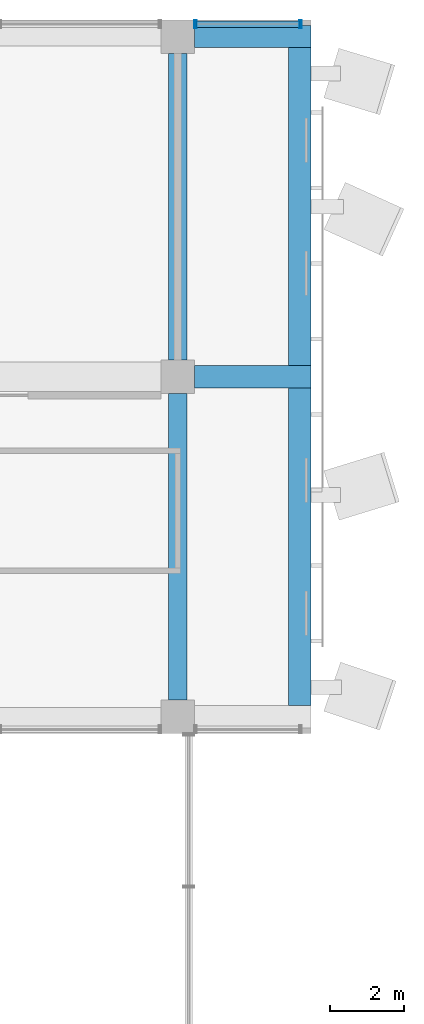
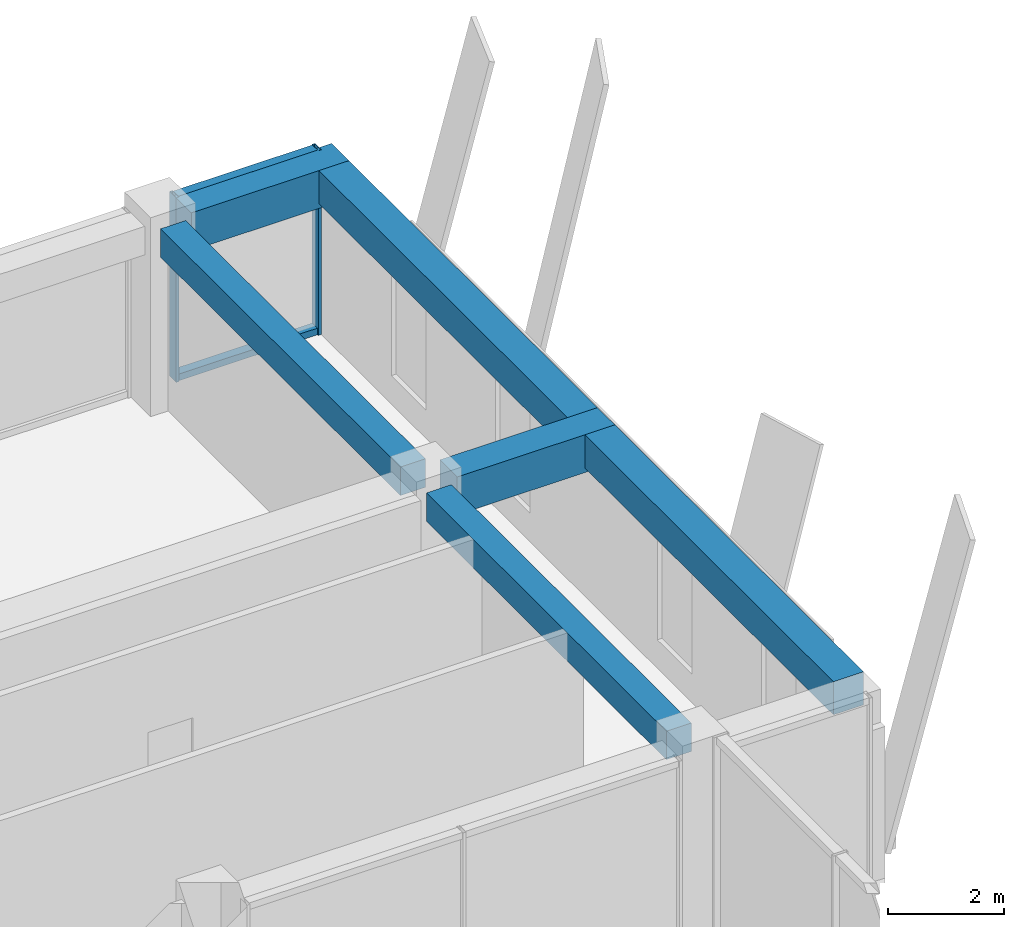
# One storey, part 25 of 38: 6 beams, 4 members, 1 element without a shape of its own.
"""IFC4 building model written with IfcOpenShell, lengths in metres."""

from ifc_helpers import new_model, si_unit, direction, frame, origin, origin_2d, place, context, subcontext, project, spatial, rectangle, hollow_rectangle, extrude, material, layer, layer_set, material_profile, profile_set, type_object, element, aggregate, save


model = new_model("IFC4")

# Units and contexts
model_context = context("Model", 3, precision=1e-05, world=origin(), true_north=direction((0.0, 1.0)))
body_context = subcontext(model_context, "Body", "Model", "MODEL_VIEW")
ifc_project = project(units=[si_unit("LENGTHUNIT", "METRE"), si_unit("AREAUNIT", "SQUARE_METRE"), si_unit("VOLUMEUNIT", "CUBIC_METRE"), si_unit("PLANEANGLEUNIT", "RADIAN"), si_unit("MASSUNIT", "GRAM", prefix="KILO")], contexts=[model_context])

# Site, building, storey
site_placement = place(None, origin())
site = spatial("IfcSite", under=ifc_project, at=site_placement, CompositionType="ELEMENT")
building_placement = place(site_placement, origin())
building = spatial("IfcBuilding", under=site, at=building_placement, Name="Nzadi Deep Aquarium and Research Tower", CompositionType="ELEMENT")
storey_placement = place(building_placement, frame((0.0, 0.0, 52.89990234375)))
storey = spatial("IfcBuildingStorey", under=building, at=storey_placement, Name="L10", CompositionType="ELEMENT", Elevation=52.89990234375)

# Curtain wall, members
ifc_material_1 = material(Name="Aluminium unitised frame deep", Category="aluminium")
ifc_layer = layer(ifc_material_1, 0.22509765625)
ifc_layer_set = layer_set([ifc_layer], Name="Aluminium unitised frame deep")
curtain_wall_type = type_object("IfcCurtainWallType", Name="Curtain wall Unitised Deep 225", PredefinedType="NOTDEFINED", material=ifc_layer_set)
curtain_wall_placement = place(storey_placement, origin())
curtain_wall = element("IfcCurtainWall", 1, at=curtain_wall_placement, inside=storey, type_object=curtain_wall_type, Name="Unitised curtain wall blade B north L10", PredefinedType="NOTDEFINED")
ifc_material_2 = material(Name="Aluminium unitised frame deep", Category="aluminium")
ifc_material_profile_1 = material_profile(ifc_material_2, hollow_rectangle(XDim=0.22509765625, YDim=0.06005859375, WallThickness=0.0048828125, at=origin_2d()))
ifc_profile_set_1 = profile_set([ifc_material_profile_1], Name="Aluminium unitised frame deep")
member_type_1 = type_object("IfcMemberType", Name="Mullion 60x225 Unitised Deep", PredefinedType="MULLION", material=ifc_profile_set_1)
member_1_placement = place(storey_placement, frame((48.47998046875, 46.33740234375, 0.0), z_axis=(0.0, 0.0, 1.0), x_axis=(0.0, 1.0, 0.0)))
member_1 = element("IfcMember", 2, at=member_1_placement, type_object=member_type_1, Name="CW139 mullion 1", PredefinedType="MULLION", context=body_context, shape_type="SweptSolid", body=[
    extrude(hollow_rectangle(XDim=0.22509765625, YDim=0.06005859375, WallThickness=0.0048828125, at=origin_2d()), origin(), (0.0, 0.0, 1.0), 3.900146484375),
])
member_2_placement = place(storey_placement, frame((51.320068359375, 46.33740234375, 0.0), z_axis=(0.0, 0.0, 1.0), x_axis=(0.0, 1.0, 0.0)))
member_2 = element("IfcMember", 3, at=member_2_placement, type_object=member_type_1, Name="CW139 mullion 2", PredefinedType="MULLION", context=body_context, shape_type="SweptSolid", body=[
    extrude(hollow_rectangle(XDim=0.22509765625, YDim=0.06005859375, WallThickness=0.0048828125, at=origin_2d()), origin(), (0.0, 0.0, 1.0), 3.900146484375),
])

# Beams
ifc_material_3 = material(Name="Concrete C35/45", Category="concrete")
ifc_material_profile_2 = material_profile(ifc_material_3, rectangle(XDim=0.5, YDim=0.60009765625, at=origin_2d()))
ifc_profile_set_2 = profile_set([ifc_material_profile_2], Name="Concrete C35/45")
beam_type_1 = type_object("IfcBeamType", Name="RC 500x600", PredefinedType="BEAM", material=ifc_profile_set_2)
for number, where, z_axis, x_axis, name in (
    (4, (48.0, 28.050048828125, 3.60009765625), (0.0, 1.0, 0.0), (-1.0, 0.0, 0.0), "B-Z1-L10-CF-1-4"),
    (5, (48.0, 37.25, 3.60009765625), (0.0, 1.0, 0.0), (-1.0, 0.0, 0.0), "B-Z1-L10-CF-2-4"),
):
    element("IfcBeam", number, at=place(storey_placement, frame(where, z_axis=z_axis, x_axis=x_axis)), inside=storey, type_object=beam_type_1, Name=name, PredefinedType="BEAM", context=body_context, shape_type="SweptSolid", body=[
        extrude(rectangle(XDim=0.5, YDim=0.60009765625, at=origin_2d()), origin(), (0.0, 0.0, 1.0), 8.300048828125),
    ])
ifc_material_4 = material(Name="Concrete C35/45", Category="concrete")
ifc_material_profile_3 = material_profile(ifc_material_4, rectangle(XDim=0.60009765625, YDim=0.699951171875, at=origin_2d()))
ifc_profile_set_3 = profile_set([ifc_material_profile_3], Name="Concrete C35/45")
beam_type_2 = type_object("IfcBeamType", Name="RC 600x700", PredefinedType="BEAM", material=ifc_profile_set_3)
beam_1_placement = place(storey_placement, frame((51.300048828125, 27.89990234375, 3.550048828125), z_axis=(0.0, 1.0, 0.0), x_axis=(-1.0, 0.0, 0.0)))
element("IfcBeam", 6, at=beam_1_placement, inside=storey, type_object=beam_type_2, Name="B-Z1-L10-TIP1", PredefinedType="BEAM", context=body_context, shape_type="SweptSolid", body=[
    extrude(rectangle(XDim=0.60009765625, YDim=0.699951171875, at=origin_2d()), origin(), (0.0, 0.0, 1.0), 8.60009765625),
])
beam_2_placement = place(storey_placement, frame((51.300048828125, 37.10009765625, 3.550048828125), z_axis=(0.0, 1.0, 0.0), x_axis=(-1.0, 0.0, 0.0)))
element("IfcBeam", 7, at=beam_2_placement, inside=storey, type_object=beam_type_2, Name="B-Z1-L10-TIP2", PredefinedType="BEAM", context=body_context, shape_type="SweptSolid", body=[
    extrude(rectangle(XDim=0.60009765625, YDim=0.699951171875, at=origin_2d()), origin(), (0.0, 0.0, 1.0), 8.599853515625),
])
ifc_material_5 = material(Name="Concrete C35/45", Category="concrete")
ifc_material_profile_4 = material_profile(ifc_material_5, rectangle(XDim=0.60009765625, YDim=0.800048828125, at=origin_2d()))
ifc_profile_set_4 = profile_set([ifc_material_profile_4], Name="Concrete C35/45")
beam_type_3 = type_object("IfcBeamType", Name="RC 600x800", PredefinedType="BEAM", material=ifc_profile_set_4)
for number, where, z_axis, x_axis, name in (
    (8, (48.449951171875, 36.800048828125, 3.5), (1.0, 0.0, 0.0), (0.0, 1.0, 0.0), "B-Z1-L10-CANT5"),
    (9, (48.449951171875, 46.0, 3.5), (1.0, 0.0, 0.0), (0.0, 1.0, 0.0), "B-Z1-L10-CANT6"),
):
    element("IfcBeam", number, at=place(storey_placement, frame(where, z_axis=z_axis, x_axis=x_axis)), inside=storey, type_object=beam_type_3, Name=name, PredefinedType="BEAM", context=body_context, shape_type="SweptSolid", body=[
        extrude(rectangle(XDim=0.60009765625, YDim=0.800048828125, at=origin_2d()), origin(), (0.0, 0.0, 1.0), 3.150146484375),
    ])

# Member
ifc_material_6 = material(Name="Aluminium unitised frame deep", Category="aluminium")
ifc_material_profile_5 = material_profile(ifc_material_6, hollow_rectangle(XDim=0.179931640625, YDim=0.139892578125, WallThickness=0.0048828125, at=origin_2d()))
ifc_profile_set_5 = profile_set([ifc_material_profile_5], Name="Aluminium unitised frame deep")
member_type_2 = type_object("IfcMemberType", Name="Transom 140x180 Unitised Deep", PredefinedType="MULLION", material=ifc_profile_set_5)
member_3_placement = place(storey_placement, frame((48.510009765625, 46.33740234375, 0.070068359375), z_axis=(1.0, 0.0, 0.0), x_axis=(0.0, 1.0, 0.0)))
member_3 = element("IfcMember", 10, at=member_3_placement, type_object=member_type_2, Name="CW139 transom 1.1", PredefinedType="MULLION", context=body_context, shape_type="SweptSolid", body=[
    extrude(hollow_rectangle(XDim=0.179931640625, YDim=0.139892578125, WallThickness=0.0048828125, at=origin_2d()), origin(), (0.0, 0.0, 1.0), 2.780029296875),
])

member_4_placement = place(storey_placement, frame((48.510009765625, 46.33740234375, 3.830078125), z_axis=(1.0, 0.0, 0.0), x_axis=(0.0, 1.0, 0.0)))
member_4 = element("IfcMember", 11, at=member_4_placement, type_object=member_type_2, Name="CW139 transom 1.2", PredefinedType="MULLION", context=body_context, shape_type="SweptSolid", body=[
    extrude(hollow_rectangle(XDim=0.179931640625, YDim=0.139892578125, WallThickness=0.0048828125, at=origin_2d()), origin(), (0.0, 0.0, 1.0), 2.780029296875),
])

aggregate(curtain_wall, [member_1, member_2, member_3, member_4])

save(model, "model.ifc")
